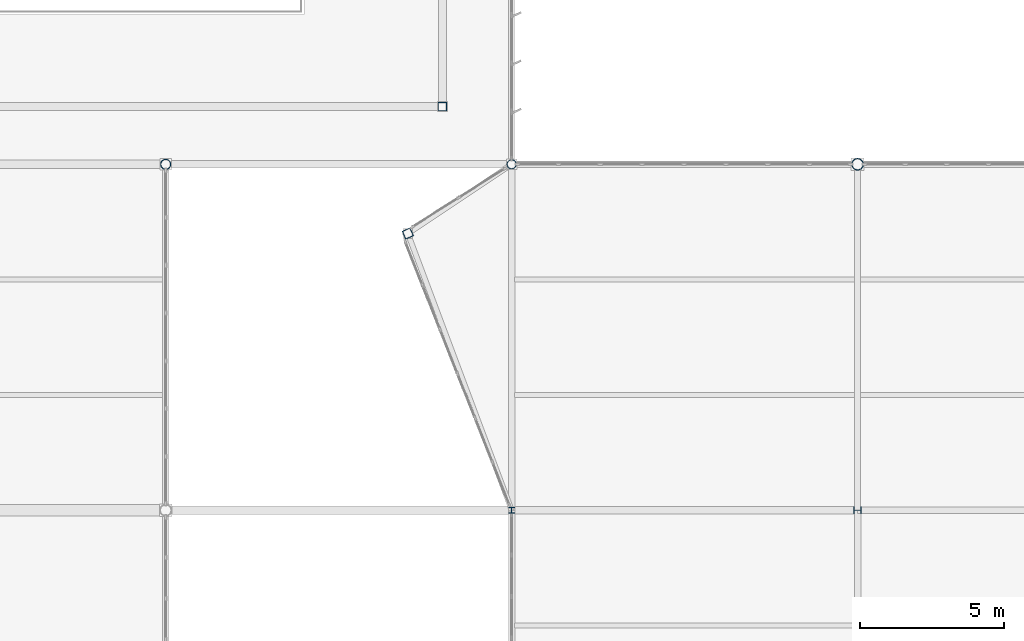
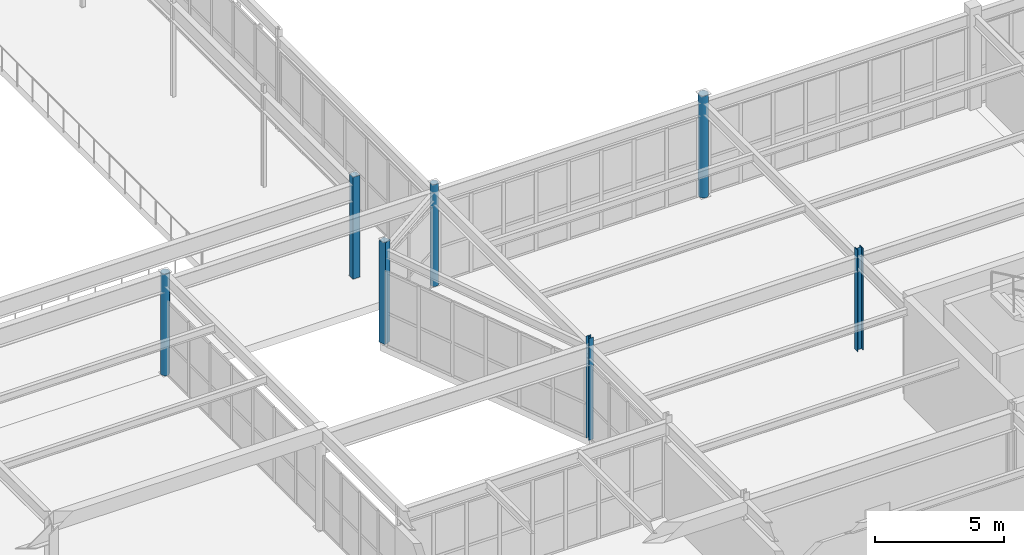
# One storey, part 39 of 186: 7 columns.
"""IFC4 building model written with IfcOpenShell, lengths in metres."""

import ifcopenshell
import ifcopenshell.guid

model = None  # the IFC model being written
_history = None  # IfcOwnerHistory: only IFC2X3 demands one
_inside = {}  # id of a spatial element -> (the spatial element, [elements in it])
_under = {}  # id of a project, library or spatial element -> (it, [spatial elements below it])
_declared = {}  # id of a project -> (the project, [libraries it declares])
_typed = {}  # id of a type object -> (the type object, [elements of that type])
_made_of = {}  # id of a material, layer set ... -> (it, [elements and type objects made of it])


def new_model(schema):
    """Start an empty IFC model of exactly this schema.

    Asked for "IFC4X3", IfcOpenShell would pick the latest addendum, in which some entities
    have other attributes; the version numbers below select the first issue.
    IFC2X3 requires an IfcOwnerHistory on every rooted entity: one is made here for all.
    """
    global model, _history
    if schema == "IFC4X3":
        model = ifcopenshell.file(schema_version=(4, 3, 0, 0))
    else:
        model = ifcopenshell.file(schema=schema)
    _inside.clear()
    _under.clear()
    _declared.clear()
    _typed.clear()
    _made_of.clear()
    _history = None
    if model.schema == "IFC2X3":
        org = make("IfcOrganization", Name="unknown")
        user = make(
            "IfcPersonAndOrganization",
            ThePerson=make("IfcPerson", FamilyName="unknown"),
            TheOrganization=org,
        )
        app = make(
            "IfcApplication",
            ApplicationDeveloper=org,
            Version="unknown",
            ApplicationFullName="unknown",
            ApplicationIdentifier="unknown",
        )
        _history = make(
            "IfcOwnerHistory",
            OwningUser=user,
            OwningApplication=app,
            ChangeAction="ADDED",
            CreationDate=0,
        )
    return model


def make(cls, **values):
    """One entity of the class cls with the attributes given. An attribute that is None is left unset."""
    return model.create_entity(
        cls, **{name: value for name, value in values.items() if value is not None}
    )


def rooted(cls, **values):
    """An entity with a GlobalId (a new one), such as an element, a storey or a relation."""
    return make(cls, GlobalId=ifcopenshell.guid.new(), OwnerHistory=_history, **values)


def si_unit(unit_type, name, prefix=None):
    """IfcSIUnit, for example si_unit("LENGTHUNIT", "METRE", prefix="MILLI")."""
    return make("IfcSIUnit", UnitType=unit_type, Prefix=prefix, Name=name)


def assignment(units):
    """IfcUnitAssignment: the units of a project."""
    return None if units is None else make("IfcUnitAssignment", Units=units)


def point(xyz):
    """IfcCartesianPoint."""
    return None if xyz is None else make("IfcCartesianPoint", Coordinates=xyz)


def direction(xyz):
    """IfcDirection."""
    return None if xyz is None else make("IfcDirection", DirectionRatios=xyz)


def frame(location, z_axis=None, x_axis=None):
    """IfcAxis2Placement3D, a coordinate frame: its origin and axes. An axis left out is left unset."""
    return make(
        "IfcAxis2Placement3D",
        Location=point(location),
        Axis=direction(z_axis),
        RefDirection=direction(x_axis),
    )


def frame_2d(location, x_axis=None):
    """IfcAxis2Placement2D, a coordinate frame in the plane: its origin and x axis."""
    return make(
        "IfcAxis2Placement2D", Location=point(location), RefDirection=direction(x_axis)
    )


def origin():
    """The frame at (0, 0, 0) with its axes left unset."""
    return frame((0.0, 0.0, 0.0))


def origin_2d():
    """The frame at (0, 0) in the plane with its x axis left unset."""
    return frame_2d((0.0, 0.0))


def place(relative_to, where):
    """IfcLocalPlacement: puts the frame where relative to a parent placement (None: the world)."""
    return make(
        "IfcLocalPlacement", PlacementRelTo=relative_to, RelativePlacement=where
    )


def context(
    kind, dimensions, precision=None, world=None, true_north=None, identifier=None
):
    """IfcGeometricRepresentationContext, for example the 3D "Model" context."""
    return make(
        "IfcGeometricRepresentationContext",
        ContextIdentifier=identifier,
        ContextType=kind,
        CoordinateSpaceDimension=dimensions,
        Precision=precision,
        WorldCoordinateSystem=world,
        TrueNorth=true_north,
    )


def subcontext(parent, identifier, kind, view, scale=None):
    """IfcGeometricRepresentationSubContext, for example "Body" below "Model"."""
    return make(
        "IfcGeometricRepresentationSubContext",
        ContextIdentifier=identifier,
        ContextType=kind,
        ParentContext=parent,
        TargetScale=scale,
        TargetView=view,
    )


def project(units=None, contexts=None):
    """IfcProject with its units and contexts."""
    return rooted(
        "IfcProject",
        Name="project",
        RepresentationContexts=contexts,
        UnitsInContext=assignment(units),
    )


def spatial(cls, under=None, at=None, **own):
    """A site, building, storey or space (cls), placed at a placement, below another one or the project."""
    s = rooted(cls, ObjectPlacement=at, **own)
    if under is not None:
        _under.setdefault(under.id(), (under, []))[1].append(s)
    return s


def profile(cls, at=None, kind="AREA", **sizes):
    """A parametric profile (cls). Its sizes go by their IFC names, for example OverallWidth=200.0."""
    return make(cls, ProfileType=kind, Position=at, **sizes)


def hollow_rectangle(**sizes):
    """IfcRectangleHollowProfileDef."""
    return profile("IfcRectangleHollowProfileDef", **sizes)


def hollow_circle(**sizes):
    """IfcCircleHollowProfileDef."""
    return profile("IfcCircleHollowProfileDef", **sizes)


def i_section(**sizes):
    """IfcIShapeProfileDef."""
    return profile("IfcIShapeProfileDef", **sizes)


def extrude(swept, where, along, depth):
    """IfcExtrudedAreaSolid: the profile swept, set in the frame where, extruded along a direction by depth."""
    return make(
        "IfcExtrudedAreaSolid",
        SweptArea=swept,
        Position=where,
        ExtrudedDirection=direction(along),
        Depth=depth,
    )


def shape(context_of_items, identifier, shape_type, items):
    """IfcShapeRepresentation: the items that make up one representation, for example the "Body"."""
    return make(
        "IfcShapeRepresentation",
        ContextOfItems=context_of_items,
        RepresentationIdentifier=identifier,
        RepresentationType=shape_type,
        Items=items,
    )


def material(Name=None, Category=None):
    """IfcMaterial."""
    return make("IfcMaterial", Name=Name, Category=Category)


def material_profile(
    of_material, cross_section, Name=None, Category=None, Priority=None
):
    """IfcMaterialProfile: a cross section and its material."""
    return make(
        "IfcMaterialProfile",
        Name=Name,
        Material=of_material,
        Profile=cross_section,
        Priority=Priority,
        Category=Category,
    )


def profile_set(profiles, Name=None, composite=None):
    """IfcMaterialProfileSet."""
    return make(
        "IfcMaterialProfileSet",
        Name=Name,
        MaterialProfiles=profiles,
        CompositeProfile=composite,
    )


def made_of(thing, what):
    """Note that an element or type object is made of a material, layer set ...; save() writes the relation."""
    if what is not None:
        _made_of.setdefault(what.id(), (what, []))[1].append(thing)
    return thing


def type_object(cls, material=None, **own):
    """A type object (cls), such as IfcWallType, which elements share."""
    return made_of(rooted(cls, **own), material)


def element(
    cls,
    number,
    at=None,
    inside=None,
    cuts=None,
    type_object=None,
    material=None,
    context=None,
    identifier="Body",
    shape_type=None,
    held_by="IfcProductDefinitionShape",
    body=None,
    shapes=None,
    **own,
):
    """One element of the class cls, such as IfcWall. Its Tag is "e" and its number.

    at: its placement. inside: the storey or other place that contains it. cuts: it is an
    opening in that element (IfcRelVoidsElement). A single representation is given by context,
    identifier, shape_type and body (its items); several are given by shapes. held_by: the class
    of the entity that holds the representations. save() writes the other relations.
    """
    e = rooted(cls, Tag="e%d" % number, ObjectPlacement=at, **own)
    if body is not None:
        shapes = [shape(context, identifier, shape_type, body)]
    if shapes is not None:
        e.Representation = make(held_by, Representations=shapes)
    if inside is not None:
        _inside.setdefault(inside.id(), (inside, []))[1].append(e)
    if cuts is not None:
        rooted(
            "IfcRelVoidsElement", RelatingBuildingElement=cuts, RelatedOpeningElement=e
        )
    if type_object is not None:
        _typed.setdefault(type_object.id(), (type_object, []))[1].append(e)
    return made_of(e, material)


def aggregate(whole, parts):
    """IfcRelAggregates: a whole, such as a stair, and the parts it consists of."""
    return rooted("IfcRelAggregates", RelatingObject=whole, RelatedObjects=parts)


def save(model, path):
    """Write the relations noted so far, then the file.

    IfcRelAggregates (storeys below a building ...), IfcRelContainedInSpatialStructure (elements
    in a storey), IfcRelDefinesByType, IfcRelAssociatesMaterial and IfcRelDeclares: one each for
    every whole, place, type object, material and project.
    """
    for whole, parts in _under.values():
        aggregate(whole, parts)
    for where, things in _inside.values():
        rooted(
            "IfcRelContainedInSpatialStructure",
            RelatedElements=things,
            RelatingStructure=where,
        )
    for kind, things in _typed.values():
        rooted("IfcRelDefinesByType", RelatedObjects=things, RelatingType=kind)
    for what, things in _made_of.values():
        rooted("IfcRelAssociatesMaterial", RelatedObjects=things, RelatingMaterial=what)
    for by, libraries in _declared.values():
        rooted("IfcRelDeclares", RelatingContext=by, RelatedDefinitions=libraries)
    model.write(path)


model = new_model("IFC4")

# Units and contexts
model_context = context("Model", 3, precision=1e-05, world=origin(), true_north=direction((0.0, 1.0)))
body_context = subcontext(model_context, "Body", "Model", "MODEL_VIEW")
ifc_project = project(units=[si_unit("LENGTHUNIT", "METRE"), si_unit("AREAUNIT", "SQUARE_METRE"), si_unit("VOLUMEUNIT", "CUBIC_METRE"), si_unit("PLANEANGLEUNIT", "RADIAN"), si_unit("MASSUNIT", "GRAM", prefix="KILO")], contexts=[model_context])

# Site, building, storey
site_placement = place(None, origin())
site = spatial("IfcSite", under=ifc_project, at=site_placement, CompositionType="ELEMENT")
building_placement = place(site_placement, origin())
building = spatial("IfcBuilding", under=site, at=building_placement, Name="Tarnwether General Hospital", CompositionType="ELEMENT")
storey_placement = place(building_placement, frame((0.0, 0.0, 9.60009765625)))
storey = spatial("IfcBuildingStorey", under=building, at=storey_placement, Name="L02", CompositionType="ELEMENT", Elevation=9.60009765625)

# Columns
ifc_material_1 = material(Name="Steel Grade 350 (350 MPa)", Category="steel")
ifc_material_profile_1 = material_profile(ifc_material_1, i_section(OverallWidth=0.256103515625, OverallDepth=0.260009765625, WebThickness=0.010498046875, FlangeThickness=0.017333984375, at=origin_2d()), Name="250UC89.5")
ifc_profile_set_1 = profile_set([ifc_material_profile_1], Name="Steel Grade 350 (350 MPa)")
column_type_1 = type_object("IfcColumnType", Name="COL-09", PredefinedType="COLUMN", material=ifc_profile_set_1)
column_1_placement = place(storey_placement, frame((156.0, 33.60009765625, 0.0), z_axis=(0.0, 0.0, 1.0), x_axis=(0.0, 1.0, 0.0)))
element("IfcColumn", 1, at=column_1_placement, inside=storey, type_object=column_type_1, Name="Column COLG-L02-15600_3360", PredefinedType="COLUMN", context=body_context, shape_type="SweptSolid", body=[
    extrude(i_section(OverallWidth=0.256103515625, OverallDepth=0.260009765625, WebThickness=0.010498046875, FlangeThickness=0.017333984375, at=origin_2d()), origin(), (0.0, 0.0, 1.0), 4.7998046875),
])
ifc_material_2 = material(Name="Steel Grade C350L0 (350 MPa)", Category="steel")
ifc_material_profile_2 = material_profile(ifc_material_2, hollow_circle(Radius=0.203125, WallThickness=0.01611328125, at=origin_2d()), Name="CHS406.4x16.0")
ifc_profile_set_2 = profile_set([ifc_material_profile_2], Name="Steel Grade C350L0 (350 MPa)")
column_type_2 = type_object("IfcColumnType", Name="COL-10", PredefinedType="COLUMN", material=ifc_profile_set_2)
column_2_placement = place(storey_placement, frame((156.0, 45.60009765625, 0.0), z_axis=(0.0, 0.0, 1.0), x_axis=(0.0, 1.0, 0.0)))
element("IfcColumn", 2, at=column_2_placement, inside=storey, type_object=column_type_2, Name="Column COLG-L02-15600_4560", PredefinedType="COLUMN", context=body_context, shape_type="SweptSolid", body=[
    extrude(hollow_circle(Radius=0.203125, WallThickness=0.01611328125, at=origin_2d()), origin(), (0.0, 0.0, 1.0), 4.7998046875),
])
ifc_material_3 = material(Name="Steel Grade C350L0 (350 MPa)", Category="steel")
ifc_material_profile_3 = material_profile(ifc_material_3, hollow_circle(Radius=0.177734375, WallThickness=0.0126953125, at=origin_2d()), Name="CHS355.6x12.7")
ifc_profile_set_3 = profile_set([ifc_material_profile_3], Name="Steel Grade C350L0 (350 MPa)")
column_type_3 = type_object("IfcColumnType", Name="COL-11", PredefinedType="COLUMN", material=ifc_profile_set_3)
column_3_placement = place(storey_placement, frame((132.0, 45.60009765625, 0.0), z_axis=(0.0, 0.0, 1.0), x_axis=(0.0, 1.0, 0.0)))
element("IfcColumn", 3, at=column_3_placement, inside=storey, type_object=column_type_3, Name="Column COLG-L02-13200_4560", PredefinedType="COLUMN", context=body_context, shape_type="SweptSolid", body=[
    extrude(hollow_circle(Radius=0.177734375, WallThickness=0.0126953125, at=origin_2d()), origin(), (0.0, 0.0, 1.0), 4.7998046875),
])
ifc_material_4 = material(Name="Steel Grade 350 (350 MPa)", Category="steel")
ifc_material_profile_4 = material_profile(ifc_material_4, i_section(OverallWidth=0.205078125, OverallDepth=0.2099609375, WebThickness=0.00927734375, FlangeThickness=0.01416015625, at=origin_2d()), Name="200UC59.5")
ifc_profile_set_4 = profile_set([ifc_material_profile_4], Name="Steel Grade 350 (350 MPa)")
column_type_4 = type_object("IfcColumnType", Name="COL-25", PredefinedType="COLUMN", material=ifc_profile_set_4)
column_4_placement = place(storey_placement, frame((144.0, 33.60009765625, 0.0), z_axis=(0.0, 0.0, 1.0), x_axis=(1.0, 0.0, 0.0)))
element("IfcColumn", 4, at=column_4_placement, inside=storey, type_object=column_type_4, Name="Column COLG-L02-14400_3360", PredefinedType="COLUMN", context=body_context, shape_type="SweptSolid", body=[
    extrude(i_section(OverallWidth=0.205078125, OverallDepth=0.2099609375, WebThickness=0.00927734375, FlangeThickness=0.01416015625, at=origin_2d()), origin(), (0.0, 0.0, 1.0), 4.7998046875),
])
ifc_material_5 = material(Name="Steel Grade C350L0 (350 MPa)", Category="steel")
ifc_material_profile_5 = material_profile(ifc_material_5, hollow_circle(Radius=0.161865234375, WallThickness=0.0126953125, at=origin_2d()), Name="CHS323.9x12.7")
ifc_profile_set_5 = profile_set([ifc_material_profile_5], Name="Steel Grade C350L0 (350 MPa)")
column_type_5 = type_object("IfcColumnType", Name="COL-26", PredefinedType="COLUMN", material=ifc_profile_set_5)
column_5_placement = place(storey_placement, frame((144.0, 45.60009765625, 0.0), z_axis=(0.0, 0.0, 1.0), x_axis=(1.0, 0.0, 0.0)))
element("IfcColumn", 5, at=column_5_placement, inside=storey, type_object=column_type_5, Name="Column COLG-L02-14400_4560", PredefinedType="COLUMN", context=body_context, shape_type="SweptSolid", body=[
    extrude(hollow_circle(Radius=0.161865234375, WallThickness=0.0126953125, at=origin_2d()), origin(), (0.0, 0.0, 1.0), 4.7998046875),
])
ifc_material_6 = material(Name="Steel Grade C350L0 (350 MPa)", Category="steel")
ifc_material_profile_6 = material_profile(ifc_material_6, hollow_rectangle(XDim=0.300048828125, YDim=0.300048828125, WallThickness=0.012451171875, at=origin_2d()), Name="SHS300x300x12.5")
ifc_profile_set_6 = profile_set([ifc_material_profile_6], Name="Steel Grade C350L0 (350 MPa)")
column_type_6 = type_object("IfcColumnType", Name="COL-30", PredefinedType="COLUMN", material=ifc_profile_set_6)
for number, where, z_axis, x_axis, name in (
    (6, (141.60009765625, 47.60009765625, 0.0), (0.0, 0.0, 1.0), (1.0, 0.0, 0.0), "Column COLG-L02-14160_4760"),
    (7, (140.39990234375, 43.199951171875, 0.0), (0.0, 0.0, 1.0), (0.913545457643, 0.406736643076, 0.0), "Column COLG-L02-14040_4320"),
):
    element("IfcColumn", number, at=place(storey_placement, frame(where, z_axis=z_axis, x_axis=x_axis)), inside=storey, type_object=column_type_6, Name=name, PredefinedType="COLUMN", context=body_context, shape_type="SweptSolid", body=[
        extrude(hollow_rectangle(XDim=0.300048828125, YDim=0.300048828125, WallThickness=0.012451171875, at=origin_2d()), origin(), (0.0, 0.0, 1.0), 4.7998046875),
    ])

save(model, "model.ifc")
